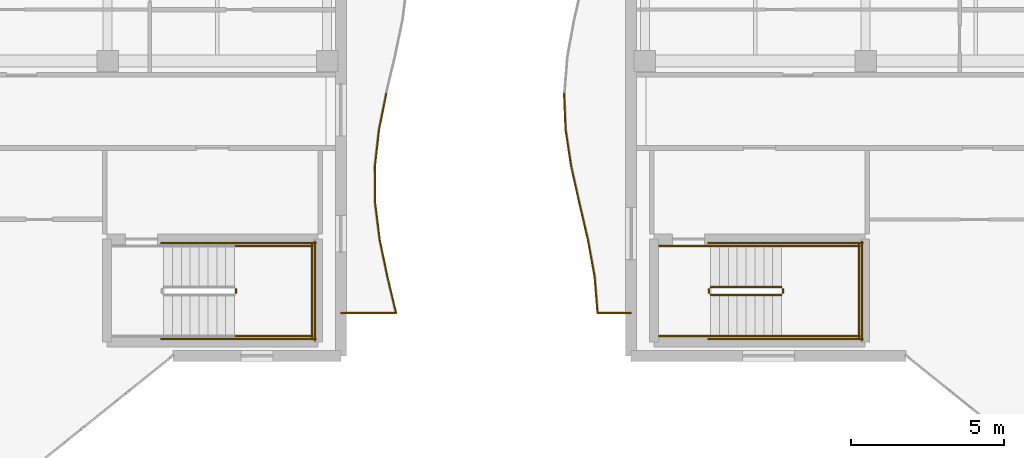
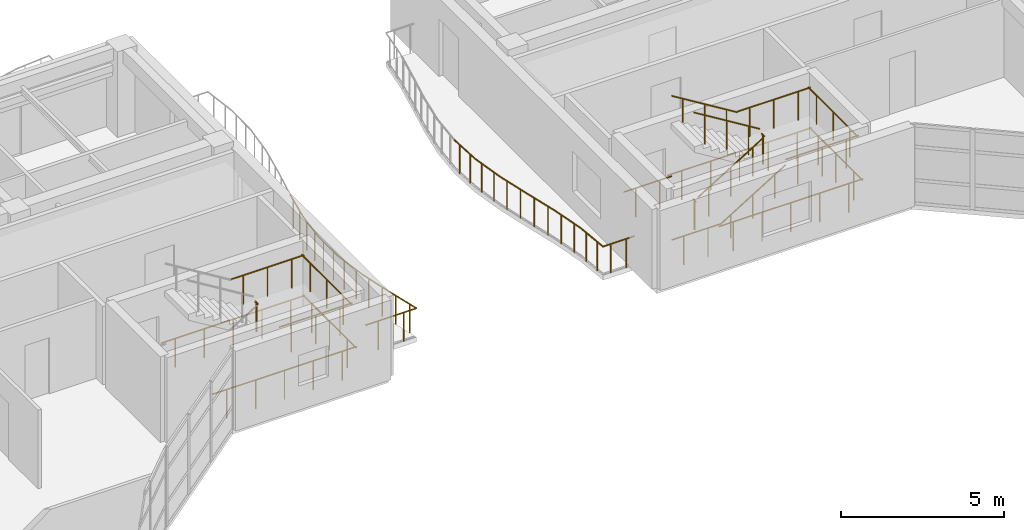
# One storey, part 125 of 128: 35 railings.
"""IFC4 building model written with IfcOpenShell, lengths in metres."""

from ifc_helpers import new_model, si_unit, direction, frame, origin, origin_2d, place, context, subcontext, project, spatial, circle, extrude, material, type_object, element, save


model = new_model("IFC4")

# Units and contexts
model_context = context("Model", 3, precision=1e-05, world=origin(), true_north=direction((0.0, 1.0)))
body_context = subcontext(model_context, "Body", "Model", "MODEL_VIEW")
ifc_project = project(units=[si_unit("LENGTHUNIT", "METRE"), si_unit("AREAUNIT", "SQUARE_METRE"), si_unit("VOLUMEUNIT", "CUBIC_METRE"), si_unit("PLANEANGLEUNIT", "RADIAN"), si_unit("MASSUNIT", "GRAM", prefix="KILO")], contexts=[model_context])

# Site, building, storey
site_placement = place(None, origin())
site = spatial("IfcSite", under=ifc_project, at=site_placement, CompositionType="ELEMENT")
building_placement = place(site_placement, origin())
building = spatial("IfcBuilding", under=site, at=building_placement, Name="Keldmere Railside Commons", CompositionType="ELEMENT")
storey_placement = place(building_placement, frame((0.0, 0.0, 4.159912109375)))
storey = spatial("IfcBuildingStorey", under=building, at=storey_placement, Name="L01", CompositionType="ELEMENT", Elevation=4.159912109375)

# Railings
ifc_material = material(Name="Steel F-24 (S235)", Category="steel")
railing_type_1 = type_object("IfcRailingType", Name="Balcony & Terrace Steel Balustrade 1100", PredefinedType="BALUSTRADE", material=ifc_material)
railing_1_placement = place(storey_placement, frame((137.5, 101.39990234375, 0.0)))
element("IfcRailing", 1, at=railing_1_placement, inside=storey, type_object=railing_type_1, Name="GR-1 GRD-L01-1936", PredefinedType="BALUSTRADE", context=body_context, shape_type="SweptSolid", body=[
    extrude(circle(Radius=0.02392578125, at=origin_2d()), frame((0.0, 0.0, 1.076171875), z_axis=(1.0, 0.0, 0.0), x_axis=(0.0, 1.0, 0.0)), (0.0, 0.0, 1.0), 1.80810546875),
    extrude(circle(Radius=0.02099609375, at=origin_2d()), frame((0.4521484375, 0.0, 0.0)), (0.0, 0.0, 1.0), 1.048095703125),
    extrude(circle(Radius=0.02099609375, at=origin_2d()), frame((1.35595703125, 0.0, 0.0)), (0.0, 0.0, 1.0), 1.048095703125),
])
railing_2_placement = place(storey_placement, frame((139.30810546875, 101.39990234375, 0.0)))
element("IfcRailing", 2, at=railing_2_placement, inside=storey, type_object=railing_type_1, Name="GR-1 GRD-L01-1937", PredefinedType="BALUSTRADE", context=body_context, shape_type="SweptSolid", body=[
    extrude(circle(Radius=0.02392578125, at=origin_2d()), frame((0.0, 0.0, 1.076171875), z_axis=(-0.230782015464, 0.973005478576, 0.0), x_axis=(-0.973005478576, -0.230782015464, 0.0)), (0.0, 0.0, 1.0), 1.2333984375),
    extrude(circle(Radius=0.02099609375, at=origin_2d()), frame((-0.0712890625, 0.300048828125, 0.0)), (0.0, 0.0, 1.0), 1.048095703125),
    extrude(circle(Radius=0.02099609375, at=origin_2d()), frame((-0.21337890625, 0.900146484375, 0.0)), (0.0, 0.0, 1.0), 1.048095703125),
])
railing_3_placement = place(storey_placement, frame((139.0234375, 102.60009765625, 0.0)))
element("IfcRailing", 3, at=railing_3_placement, inside=storey, type_object=railing_type_1, Name="GR-1 GRD-L01-1938", PredefinedType="BALUSTRADE", context=body_context, shape_type="SweptSolid", body=[
    extrude(circle(Radius=0.02392578125, at=origin_2d()), frame((0.0, 0.0, 1.076171875), z_axis=(-0.204534790635, 0.978859295006, 0.0), x_axis=(-0.978859295006, -0.204534790635, 0.0)), (0.0, 0.0, 1.0), 1.225830078125),
    extrude(circle(Radius=0.02099609375, at=origin_2d()), frame((-0.062744140625, 0.300048828125, 0.0)), (0.0, 0.0, 1.0), 1.048095703125),
    extrude(circle(Radius=0.02099609375, at=origin_2d()), frame((-0.18798828125, 0.89990234375, 0.0)), (0.0, 0.0, 1.0), 1.048095703125),
])
railing_4_placement = place(storey_placement, frame((138.772705078125, 103.800048828125, 0.0)))
element("IfcRailing", 4, at=railing_4_placement, inside=storey, type_object=railing_type_1, Name="GR-1 GRD-L01-1939", PredefinedType="BALUSTRADE", context=body_context, shape_type="SweptSolid", body=[
    extrude(circle(Radius=0.02392578125, at=origin_2d()), frame((0.0, 0.0, 1.076171875), z_axis=(-0.123562585982, 0.992336781212, 0.0), x_axis=(-0.992336781212, -0.123562585982, 0.0)), (0.0, 0.0, 1.0), 1.209228515625),
    extrude(circle(Radius=0.02099609375, at=origin_2d()), frame((-0.037353515625, 0.300048828125, 0.0)), (0.0, 0.0, 1.0), 1.048095703125),
    extrude(circle(Radius=0.02099609375, at=origin_2d()), frame((-0.112060546875, 0.89990234375, 0.0)), (0.0, 0.0, 1.0), 1.048095703125),
])
railing_5_placement = place(storey_placement, frame((138.623291015625, 105.0, 0.0)))
element("IfcRailing", 5, at=railing_5_placement, inside=storey, type_object=railing_type_1, Name="GR-1 GRD-L01-1940", PredefinedType="BALUSTRADE", context=body_context, shape_type="SweptSolid", body=[
    extrude(circle(Radius=0.02392578125, at=origin_2d()), frame((0.0, 0.0, 1.076171875), z_axis=(-0.00712087744, 0.999974646231, 0.0), x_axis=(-0.999974646231, -0.00712087744, 0.0)), (0.0, 0.0, 1.0), 1.199951171875),
    extrude(circle(Radius=0.02099609375, at=origin_2d()), frame((-0.002197265625, 0.300048828125, 0.0)), (0.0, 0.0, 1.0), 1.048095703125),
    extrude(circle(Radius=0.02099609375, at=origin_2d()), frame((-0.00634765625, 0.89990234375, 0.0)), (0.0, 0.0, 1.0), 1.048095703125),
])
railing_6_placement = place(storey_placement, frame((138.61474609375, 106.199951171875, 0.0)))
element("IfcRailing", 6, at=railing_6_placement, inside=storey, type_object=railing_type_1, Name="GR-1 GRD-L01-1941", PredefinedType="BALUSTRADE", context=body_context, shape_type="SweptSolid", body=[
    extrude(circle(Radius=0.02392578125, at=origin_2d()), frame((0.0, 0.0, 1.076171875), z_axis=(0.111807251571, 0.993729912248, 0.0), x_axis=(-0.993729912248, 0.111807251571, 0.0)), (0.0, 0.0, 1.0), 1.20751953125),
    extrude(circle(Radius=0.02099609375, at=origin_2d()), frame((0.03369140625, 0.300048828125, 0.0)), (0.0, 0.0, 1.0), 1.048095703125),
    extrude(circle(Radius=0.02099609375, at=origin_2d()), frame((0.101318359375, 0.89990234375, 0.0)), (0.0, 0.0, 1.0), 1.048095703125),
])
railing_7_placement = place(storey_placement, frame((138.749755859375, 107.39990234375, 0.0)))
element("IfcRailing", 7, at=railing_7_placement, inside=storey, type_object=railing_type_1, Name="GR-1 GRD-L01-1942", PredefinedType="BALUSTRADE", context=body_context, shape_type="SweptSolid", body=[
    extrude(circle(Radius=0.02392578125, at=origin_2d()), frame((0.0, 0.0, 1.076171875), z_axis=(0.197803060765, 0.980241780966, 0.0), x_axis=(-0.980241780966, 0.197803060765, 0.0)), (0.0, 0.0, 1.0), 1.224365234375),
    extrude(circle(Radius=0.02099609375, at=origin_2d()), frame((0.060546875, 0.300048828125, 0.0)), (0.0, 0.0, 1.0), 1.048095703125),
    extrude(circle(Radius=0.02099609375, at=origin_2d()), frame((0.181640625, 0.900146484375, 0.0)), (0.0, 0.0, 1.0), 1.048095703125),
])
railing_8_placement = place(storey_placement, frame((147.0, 101.39990234375, 0.0)))
element("IfcRailing", 8, at=railing_8_placement, inside=storey, type_object=railing_type_1, Name="GR-1 GRD-L01-3263", PredefinedType="BALUSTRADE", context=body_context, shape_type="SweptSolid", body=[
    extrude(circle(Radius=0.02392578125, at=origin_2d()), frame((0.0, 0.0, 1.076171875), z_axis=(-1.0, 0.0, 0.0), x_axis=(0.0, -1.0, 0.0)), (0.0, 0.0, 1.0), 1.10205078125),
    extrude(circle(Radius=0.02099609375, at=origin_2d()), frame((-0.275390625, 0.0, 0.0)), (0.0, 0.0, 1.0), 1.048095703125),
    extrude(circle(Radius=0.02099609375, at=origin_2d()), frame((-0.82666015625, 0.0, 0.0)), (0.0, 0.0, 1.0), 1.048095703125),
])
railing_9_placement = place(storey_placement, frame((145.89794921875, 101.39990234375, 0.0)))
element("IfcRailing", 9, at=railing_9_placement, inside=storey, type_object=railing_type_1, Name="GR-1 GRD-L01-3264", PredefinedType="BALUSTRADE", context=body_context, shape_type="SweptSolid", body=[
    extrude(circle(Radius=0.02392578125, at=origin_2d()), frame((0.0, 0.0, 1.076171875), z_axis=(-0.081098946736, 0.996706055384, 0.0), x_axis=(-0.996706055384, -0.081098946736, 0.0)), (0.0, 0.0, 1.0), 1.2041015625),
    extrude(circle(Radius=0.02099609375, at=origin_2d()), frame((-0.0244140625, 0.300048828125, 0.0)), (0.0, 0.0, 1.0), 1.048095703125),
    extrude(circle(Radius=0.02099609375, at=origin_2d()), frame((-0.0732421875, 0.900146484375, 0.0)), (0.0, 0.0, 1.0), 1.048095703125),
])
railing_10_placement = place(storey_placement, frame((145.80029296875, 102.60009765625, 0.0)))
element("IfcRailing", 10, at=railing_10_placement, inside=storey, type_object=railing_type_1, Name="GR-1 GRD-L01-3265", PredefinedType="BALUSTRADE", context=body_context, shape_type="SweptSolid", body=[
    extrude(circle(Radius=0.02392578125, at=origin_2d()), frame((0.0, 0.0, 1.076171875), z_axis=(-0.17876212496, 0.983892322706, 0.0), x_axis=(-0.983892322706, -0.17876212496, 0.0)), (0.0, 0.0, 1.0), 1.219482421875),
    extrude(circle(Radius=0.02099609375, at=origin_2d()), frame((-0.054443359375, 0.300048828125, 0.0)), (0.0, 0.0, 1.0), 1.048095703125),
    extrude(circle(Radius=0.02099609375, at=origin_2d()), frame((-0.16357421875, 0.89990234375, 0.0)), (0.0, 0.0, 1.0), 1.048095703125),
])
railing_11_placement = place(storey_placement, frame((145.582275390625, 103.800048828125, 0.0)))
element("IfcRailing", 11, at=railing_11_placement, inside=storey, type_object=railing_type_1, Name="GR-1 GRD-L01-3266", PredefinedType="BALUSTRADE", context=body_context, shape_type="SweptSolid", body=[
    extrude(circle(Radius=0.02392578125, at=origin_2d()), frame((0.0, 0.0, 1.076171875), z_axis=(-0.227448822135, 0.973790035536, 0.0), x_axis=(-0.973790035536, -0.227448822135, 0.0)), (0.0, 0.0, 1.0), 1.232177734375),
    extrude(circle(Radius=0.02099609375, at=origin_2d()), frame((-0.070068359375, 0.300048828125, 0.0)), (0.0, 0.0, 1.0), 1.048095703125),
    extrude(circle(Radius=0.02099609375, at=origin_2d()), frame((-0.210205078125, 0.89990234375, 0.0)), (0.0, 0.0, 1.0), 1.048095703125),
])
railing_12_placement = place(storey_placement, frame((145.302001953125, 105.0, 0.0)))
element("IfcRailing", 12, at=railing_12_placement, inside=storey, type_object=railing_type_1, Name="GR-1 GRD-L01-3267", PredefinedType="BALUSTRADE", context=body_context, shape_type="SweptSolid", body=[
    extrude(circle(Radius=0.02392578125, at=origin_2d()), frame((0.0, 0.0, 1.076171875), z_axis=(-0.217645292946, 0.976027933237, 0.0), x_axis=(-0.976027933237, -0.217645292946, 0.0)), (0.0, 0.0, 1.0), 1.2294921875),
    extrude(circle(Radius=0.02099609375, at=origin_2d()), frame((-0.06689453125, 0.300048828125, 0.0)), (0.0, 0.0, 1.0), 1.048095703125),
    extrude(circle(Radius=0.02099609375, at=origin_2d()), frame((-0.20068359375, 0.89990234375, 0.0)), (0.0, 0.0, 1.0), 1.048095703125),
])
railing_13_placement = place(storey_placement, frame((145.034423828125, 106.199951171875, 0.0)))
element("IfcRailing", 13, at=railing_13_placement, inside=storey, type_object=railing_type_1, Name="GR-1 GRD-L01-3268", PredefinedType="BALUSTRADE", context=body_context, shape_type="SweptSolid", body=[
    extrude(circle(Radius=0.02392578125, at=origin_2d()), frame((0.0, 0.0, 1.076171875), z_axis=(-0.150651398763, 0.988586949161, 0.0), x_axis=(-0.988586949161, -0.150651398763, 0.0)), (0.0, 0.0, 1.0), 1.2138671875),
    extrude(circle(Radius=0.02099609375, at=origin_2d()), frame((-0.045654296875, 0.300048828125, 0.0)), (0.0, 0.0, 1.0), 1.048095703125),
    extrude(circle(Radius=0.02099609375, at=origin_2d()), frame((-0.13720703125, 0.89990234375, 0.0)), (0.0, 0.0, 1.0), 1.048095703125),
])
railing_14_placement = place(storey_placement, frame((144.8515625, 107.39990234375, 0.0)))
element("IfcRailing", 14, at=railing_14_placement, inside=storey, type_object=railing_type_1, Name="GR-1 GRD-L01-3269", PredefinedType="BALUSTRADE", context=body_context, shape_type="SweptSolid", body=[
    extrude(circle(Radius=0.02392578125, at=origin_2d()), frame((0.0, 0.0, 1.076171875), z_axis=(-0.041258573234, 0.999148502543, 0.0), x_axis=(-0.999148502543, -0.041258573234, 0.0)), (0.0, 0.0, 1.0), 1.201171875),
    extrude(circle(Radius=0.02099609375, at=origin_2d()), frame((-0.012451171875, 0.300048828125, 0.0)), (0.0, 0.0, 1.0), 1.048095703125),
    extrude(circle(Radius=0.02099609375, at=origin_2d()), frame((-0.037109375, 0.900146484375, 0.0)), (0.0, 0.0, 1.0), 1.048095703125),
])
railing_type_2 = type_object("IfcRailingType", Name="Stair Well Steel Guardrail 1100", PredefinedType="BALUSTRADE", material=ifc_material)
railing_15_placement = place(storey_placement, frame((134.070068359375, 102.050048828125, 1.60009765625)))
element("IfcRailing", 15, at=railing_15_placement, inside=storey, type_object=railing_type_2, Name="L01 ST-B2 stair guard 2", PredefinedType="BALUSTRADE", context=body_context, shape_type="SweptSolid", body=[
    extrude(circle(Radius=0.02392578125, at=origin_2d()), frame((0.0, 0.0, 1.076171875), z_axis=(0.0, 1.0, 0.0), x_axis=(-1.0, 0.0, 0.0)), (0.0, 0.0, 1.0), 0.14990234375),
    extrude(circle(Radius=0.02099609375, at=origin_2d()), frame((0.0, 0.074951171875, 0.0)), (0.0, 0.0, 1.0), 1.048095703125),
])
for number, where, name in (
    (16, (134.02001953125, 100.64990234375, 1.60009765625), "L01 ST-B2 stair guard 3"),
    (17, (134.02001953125, 103.60009765625, 1.60009765625), "L01 ST-B2 stair guard 4"),
):
    element("IfcRailing", number, at=place(storey_placement, frame(where)), inside=storey, type_object=railing_type_2, Name=name, PredefinedType="BALUSTRADE", context=body_context, shape_type="SweptSolid", body=[
        extrude(circle(Radius=0.02392578125, at=origin_2d()), frame((0.0, 0.0, 1.076171875), z_axis=(1.0, 0.0, 0.0), x_axis=(0.0, 1.0, 0.0)), (0.0, 0.0, 1.0), 2.580078125),
        extrude(circle(Radius=0.02099609375, at=origin_2d()), frame((0.429931640625, 0.0, 0.0)), (0.0, 0.0, 1.0), 1.048095703125),
        extrude(circle(Radius=0.02099609375, at=origin_2d()), frame((1.2900390625, 0.0, 0.0)), (0.0, 0.0, 1.0), 1.048095703125),
        extrude(circle(Radius=0.02099609375, at=origin_2d()), frame((2.150146484375, 0.0, 0.0)), (0.0, 0.0, 1.0), 1.048095703125),
    ])
railing_16_placement = place(storey_placement, frame((136.550048828125, 100.60009765625, 1.60009765625)))
element("IfcRailing", 18, at=railing_16_placement, inside=storey, type_object=railing_type_2, Name="L01 ST-B2 stair guard 5", PredefinedType="BALUSTRADE", context=body_context, shape_type="SweptSolid", body=[
    extrude(circle(Radius=0.02392578125, at=origin_2d()), frame((0.0, 0.0, 1.076171875), z_axis=(0.0, 1.0, 0.0), x_axis=(-1.0, 0.0, 0.0)), (0.0, 0.0, 1.0), 3.0498046875),
    extrude(circle(Radius=0.02099609375, at=origin_2d()), frame((0.0, 0.50830078125, 0.0)), (0.0, 0.0, 1.0), 1.048095703125),
    extrude(circle(Radius=0.02099609375, at=origin_2d()), frame((0.0, 1.52490234375, 0.0)), (0.0, 0.0, 1.0), 1.048095703125),
    extrude(circle(Radius=0.02099609375, at=origin_2d()), frame((0.0, 2.54150390625, 0.0)), (0.0, 0.0, 1.0), 1.048095703125),
])
for number, where, name in (
    (19, (131.60009765625, 100.550048828125, 0.0), "L01 ST-B2 stair guard 10"),
    (20, (131.60009765625, 103.699951171875, 0.0), "L01 ST-B2 stair guard 11"),
):
    element("IfcRailing", number, at=place(storey_placement, frame(where)), inside=storey, type_object=railing_type_2, Name=name, PredefinedType="BALUSTRADE", context=body_context, shape_type="SweptSolid", body=[
        extrude(circle(Radius=0.02392578125, at=origin_2d()), frame((0.0, 0.0, 1.076171875), z_axis=(1.0, 0.0, 0.0), x_axis=(0.0, 1.0, 0.0)), (0.0, 0.0, 1.0), 5.099853515625),
        extrude(circle(Radius=0.02099609375, at=origin_2d()), frame((0.510009765625, 0.0, 0.0)), (0.0, 0.0, 1.0), 1.048095703125),
        extrude(circle(Radius=0.02099609375, at=origin_2d()), frame((1.530029296875, 0.0, 0.0)), (0.0, 0.0, 1.0), 1.048095703125),
        extrude(circle(Radius=0.02099609375, at=origin_2d()), frame((2.5498046875, 0.0, 0.0)), (0.0, 0.0, 1.0), 1.048095703125),
        extrude(circle(Radius=0.02099609375, at=origin_2d()), frame((3.56982421875, 0.0, 0.0)), (0.0, 0.0, 1.0), 1.048095703125),
        extrude(circle(Radius=0.02099609375, at=origin_2d()), frame((4.58984375, 0.0, 0.0)), (0.0, 0.0, 1.0), 1.048095703125),
    ])
railing_17_placement = place(storey_placement, frame((136.64990234375, 100.5, 0.0)))
element("IfcRailing", 21, at=railing_17_placement, inside=storey, type_object=railing_type_2, Name="L01 ST-B2 stair guard 12", PredefinedType="BALUSTRADE", context=body_context, shape_type="SweptSolid", body=[
    extrude(circle(Radius=0.02392578125, at=origin_2d()), frame((0.0, 0.0, 1.076171875), z_axis=(0.0, 1.0, 0.0), x_axis=(-1.0, 0.0, 0.0)), (0.0, 0.0, 1.0), 3.25),
    extrude(circle(Radius=0.02099609375, at=origin_2d()), frame((0.0, 0.541748046875, 0.0)), (0.0, 0.0, 1.0), 1.048095703125),
    extrude(circle(Radius=0.02099609375, at=origin_2d()), frame((0.0, 1.625, 0.0)), (0.0, 0.0, 1.0), 1.048095703125),
    extrude(circle(Radius=0.02099609375, at=origin_2d()), frame((0.0, 2.708251953125, 0.0)), (0.0, 0.0, 1.0), 1.048095703125),
])
railing_18_placement = place(storey_placement, frame((149.60009765625, 102.0, 0.177978515625)))
element("IfcRailing", 22, at=railing_18_placement, inside=storey, type_object=railing_type_2, Name="L01 ST-A2 stair guard 1", PredefinedType="BALUSTRADE", context=body_context, shape_type="SweptSolid", body=[
    extrude(circle(Radius=0.02392578125, at=origin_2d()), frame((0.0, 0.0, 1.076171875), z_axis=(0.85255353654, 0.0, 0.522639902162), x_axis=(0.0, 1.0, 0.0)), (0.0, 0.0, 1.0), 2.720947265625),
    extrude(circle(Radius=0.02099609375, at=origin_2d()), frame((0.38671875, 0.0, 0.237060546875)), (0.0, 0.0, 1.0), 1.048095703125),
    extrude(circle(Radius=0.02099609375, at=origin_2d()), frame((1.159912109375, 0.0, 0.7109375)), (0.0, 0.0, 1.0), 1.048095703125),
    extrude(circle(Radius=0.02099609375, at=origin_2d()), frame((1.93310546875, 0.0, 1.18505859375)), (0.0, 0.0, 1.0), 1.048095703125),
])
railing_19_placement = place(storey_placement, frame((151.969970703125, 102.050048828125, 1.60009765625)))
element("IfcRailing", 23, at=railing_19_placement, inside=storey, type_object=railing_type_2, Name="L01 ST-A2 stair guard 2", PredefinedType="BALUSTRADE", context=body_context, shape_type="SweptSolid", body=[
    extrude(circle(Radius=0.02392578125, at=origin_2d()), frame((0.0, 0.0, 1.076171875), z_axis=(0.0, 1.0, 0.0), x_axis=(-1.0, 0.0, 0.0)), (0.0, 0.0, 1.0), 0.14990234375),
    extrude(circle(Radius=0.02099609375, at=origin_2d()), frame((0.0, 0.074951171875, 0.0)), (0.0, 0.0, 1.0), 1.048095703125),
])
for number, where, name in (
    (24, (151.919921875, 100.64990234375, 1.60009765625), "L01 ST-A2 stair guard 3"),
    (25, (151.919921875, 103.60009765625, 1.60009765625), "L01 ST-A2 stair guard 4"),
):
    element("IfcRailing", number, at=place(storey_placement, frame(where)), inside=storey, type_object=railing_type_2, Name=name, PredefinedType="BALUSTRADE", context=body_context, shape_type="SweptSolid", body=[
        extrude(circle(Radius=0.02392578125, at=origin_2d()), frame((0.0, 0.0, 1.076171875), z_axis=(1.0, 0.0, 0.0), x_axis=(0.0, 1.0, 0.0)), (0.0, 0.0, 1.0), 2.580078125),
        extrude(circle(Radius=0.02099609375, at=origin_2d()), frame((0.429931640625, 0.0, 0.0)), (0.0, 0.0, 1.0), 1.048095703125),
        extrude(circle(Radius=0.02099609375, at=origin_2d()), frame((1.2900390625, 0.0, 0.0)), (0.0, 0.0, 1.0), 1.048095703125),
        extrude(circle(Radius=0.02099609375, at=origin_2d()), frame((2.150146484375, 0.0, 0.0)), (0.0, 0.0, 1.0), 1.048095703125),
    ])
railing_20_placement = place(storey_placement, frame((154.449951171875, 100.60009765625, 1.60009765625)))
element("IfcRailing", 26, at=railing_20_placement, inside=storey, type_object=railing_type_2, Name="L01 ST-A2 stair guard 5", PredefinedType="BALUSTRADE", context=body_context, shape_type="SweptSolid", body=[
    extrude(circle(Radius=0.02392578125, at=origin_2d()), frame((0.0, 0.0, 1.076171875), z_axis=(0.0, 1.0, 0.0), x_axis=(-1.0, 0.0, 0.0)), (0.0, 0.0, 1.0), 3.0498046875),
    extrude(circle(Radius=0.02099609375, at=origin_2d()), frame((0.0, 0.50830078125, 0.0)), (0.0, 0.0, 1.0), 1.048095703125),
    extrude(circle(Radius=0.02099609375, at=origin_2d()), frame((0.0, 1.52490234375, 0.0)), (0.0, 0.0, 1.0), 1.048095703125),
    extrude(circle(Radius=0.02099609375, at=origin_2d()), frame((0.0, 2.54150390625, 0.0)), (0.0, 0.0, 1.0), 1.048095703125),
])
railing_21_placement = place(storey_placement, frame((151.919921875, 102.25, 1.77783203125)))
element("IfcRailing", 27, at=railing_21_placement, inside=storey, type_object=railing_type_2, Name="L01 ST-A2 stair guard 6", PredefinedType="BALUSTRADE", context=body_context, shape_type="SweptSolid", body=[
    extrude(circle(Radius=0.02392578125, at=origin_2d()), frame((0.0, 0.0, 1.076171875), z_axis=(-0.852513557019, 0.0, 0.522705112944), x_axis=(0.0, -1.0, 0.0)), (0.0, 0.0, 1.0), 2.72119140625),
    extrude(circle(Radius=0.02099609375, at=origin_2d()), frame((-0.38671875, 0.0, 0.237060546875)), (0.0, 0.0, 1.0), 1.048095703125),
    extrude(circle(Radius=0.02099609375, at=origin_2d()), frame((-1.159912109375, 0.0, 0.711181640625)), (0.0, 0.0, 1.0), 1.048095703125),
    extrude(circle(Radius=0.02099609375, at=origin_2d()), frame((-1.93310546875, 0.0, 1.185302734375)), (0.0, 0.0, 1.0), 1.048095703125),
])
railing_22_placement = place(storey_placement, frame((149.550048828125, 102.050048828125, 0.0)))
element("IfcRailing", 28, at=railing_22_placement, inside=storey, type_object=railing_type_2, Name="L01 ST-A2 stair guard 7", PredefinedType="BALUSTRADE", context=body_context, shape_type="SweptSolid", body=[
    extrude(circle(Radius=0.02392578125, at=origin_2d()), frame((0.0, 0.0, 1.076171875), z_axis=(0.0, 1.0, 0.0), x_axis=(-1.0, 0.0, 0.0)), (0.0, 0.0, 1.0), 0.14990234375),
    extrude(circle(Radius=0.02099609375, at=origin_2d()), frame((0.0, 0.074951171875, 0.0)), (0.0, 0.0, 1.0), 1.048095703125),
])
for number, where, name in (
    (29, (147.89990234375, 100.64990234375, 0.0), "L01 ST-A2 stair guard 8"),
    (30, (147.89990234375, 103.60009765625, 0.0), "L01 ST-A2 stair guard 9"),
):
    element("IfcRailing", number, at=place(storey_placement, frame(where)), inside=storey, type_object=railing_type_2, Name=name, PredefinedType="BALUSTRADE", context=body_context, shape_type="SweptSolid", body=[
        extrude(circle(Radius=0.02392578125, at=origin_2d()), frame((0.0, 0.0, 1.076171875), z_axis=(1.0, 0.0, 0.0), x_axis=(0.0, 1.0, 0.0)), (0.0, 0.0, 1.0), 1.7001953125),
        extrude(circle(Radius=0.02099609375, at=origin_2d()), frame((0.425048828125, 0.0, 0.0)), (0.0, 0.0, 1.0), 1.048095703125),
        extrude(circle(Radius=0.02099609375, at=origin_2d()), frame((1.275146484375, 0.0, 0.0)), (0.0, 0.0, 1.0), 1.048095703125),
    ])
for number, where, name in (
    (31, (149.5, 100.550048828125, 0.0), "L01 ST-A2 stair guard 10"),
    (32, (149.5, 103.699951171875, 0.0), "L01 ST-A2 stair guard 11"),
):
    element("IfcRailing", number, at=place(storey_placement, frame(where)), inside=storey, type_object=railing_type_2, Name=name, PredefinedType="BALUSTRADE", context=body_context, shape_type="SweptSolid", body=[
        extrude(circle(Radius=0.02392578125, at=origin_2d()), frame((0.0, 0.0, 1.076171875), z_axis=(1.0, 0.0, 0.0), x_axis=(0.0, 1.0, 0.0)), (0.0, 0.0, 1.0), 5.10009765625),
        extrude(circle(Radius=0.02099609375, at=origin_2d()), frame((0.510009765625, 0.0, 0.0)), (0.0, 0.0, 1.0), 1.048095703125),
        extrude(circle(Radius=0.02099609375, at=origin_2d()), frame((1.530029296875, 0.0, 0.0)), (0.0, 0.0, 1.0), 1.048095703125),
        extrude(circle(Radius=0.02099609375, at=origin_2d()), frame((2.550048828125, 0.0, 0.0)), (0.0, 0.0, 1.0), 1.048095703125),
        extrude(circle(Radius=0.02099609375, at=origin_2d()), frame((3.570068359375, 0.0, 0.0)), (0.0, 0.0, 1.0), 1.048095703125),
        extrude(circle(Radius=0.02099609375, at=origin_2d()), frame((4.590087890625, 0.0, 0.0)), (0.0, 0.0, 1.0), 1.048095703125),
    ])
railing_23_placement = place(storey_placement, frame((154.550048828125, 100.5, 0.0)))
element("IfcRailing", 33, at=railing_23_placement, inside=storey, type_object=railing_type_2, Name="L01 ST-A2 stair guard 12", PredefinedType="BALUSTRADE", context=body_context, shape_type="SweptSolid", body=[
    extrude(circle(Radius=0.02392578125, at=origin_2d()), frame((0.0, 0.0, 1.076171875), z_axis=(0.0, 1.0, 0.0), x_axis=(-1.0, 0.0, 0.0)), (0.0, 0.0, 1.0), 3.25),
    extrude(circle(Radius=0.02099609375, at=origin_2d()), frame((0.0, 0.541748046875, 0.0)), (0.0, 0.0, 1.0), 1.048095703125),
    extrude(circle(Radius=0.02099609375, at=origin_2d()), frame((0.0, 1.625, 0.0)), (0.0, 0.0, 1.0), 1.048095703125),
    extrude(circle(Radius=0.02099609375, at=origin_2d()), frame((0.0, 2.708251953125, 0.0)), (0.0, 0.0, 1.0), 1.048095703125),
])
railing_type_3 = type_object("IfcRailingType", Name="Wall-Mounted Tubular Steel Handrail 900", PredefinedType="HANDRAIL", material=ifc_material)
railing_24_placement = place(storey_placement, frame((149.60009765625, 100.64990234375, 0.177978515625)))
element("IfcRailing", 34, at=railing_24_placement, inside=storey, type_object=railing_type_3, Name="L01 ST-A2 stair handrail 1", PredefinedType="HANDRAIL", context=body_context, shape_type="SweptSolid", body=[
    extrude(circle(Radius=0.02392578125, at=origin_2d()), frame((0.0, 0.0, 0.8759765625), z_axis=(0.85255353654, 0.0, 0.522639902162), x_axis=(0.0, 1.0, 0.0)), (0.0, 0.0, 1.0), 2.720947265625),
    extrude(circle(Radius=0.02099609375, at=origin_2d()), frame((0.38671875, 0.0, 0.237060546875)), (0.0, 0.0, 1.0), 0.847900390625),
    extrude(circle(Radius=0.02099609375, at=origin_2d()), frame((1.159912109375, 0.0, 0.7109375)), (0.0, 0.0, 1.0), 0.847900390625),
    extrude(circle(Radius=0.02099609375, at=origin_2d()), frame((1.93310546875, 0.0, 1.18505859375)), (0.0, 0.0, 1.0), 0.847900390625),
])
railing_25_placement = place(storey_placement, frame((151.919921875, 103.60009765625, 1.77783203125)))
element("IfcRailing", 35, at=railing_25_placement, inside=storey, type_object=railing_type_3, Name="L01 ST-A2 stair handrail 2", PredefinedType="HANDRAIL", context=body_context, shape_type="SweptSolid", body=[
    extrude(circle(Radius=0.02392578125, at=origin_2d()), frame((0.0, 0.0, 0.8759765625), z_axis=(-0.852513557019, 0.0, 0.522705112944), x_axis=(0.0, -1.0, 0.0)), (0.0, 0.0, 1.0), 2.72119140625),
    extrude(circle(Radius=0.02099609375, at=origin_2d()), frame((-0.38671875, 0.0, 0.237060546875)), (0.0, 0.0, 1.0), 0.847900390625),
    extrude(circle(Radius=0.02099609375, at=origin_2d()), frame((-1.159912109375, 0.0, 0.711181640625)), (0.0, 0.0, 1.0), 0.847900390625),
    extrude(circle(Radius=0.02099609375, at=origin_2d()), frame((-1.93310546875, 0.0, 1.185302734375)), (0.0, 0.0, 1.0), 0.847900390625),
])

save(model, "model.ifc")
